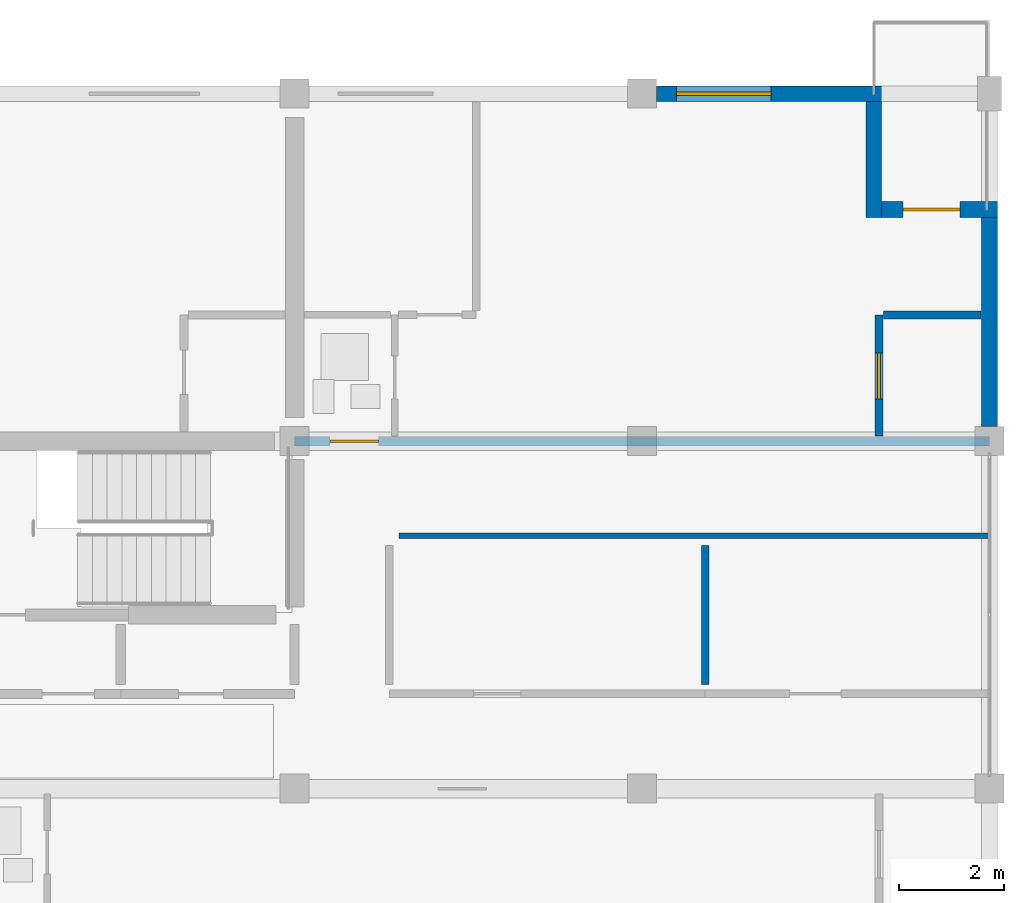
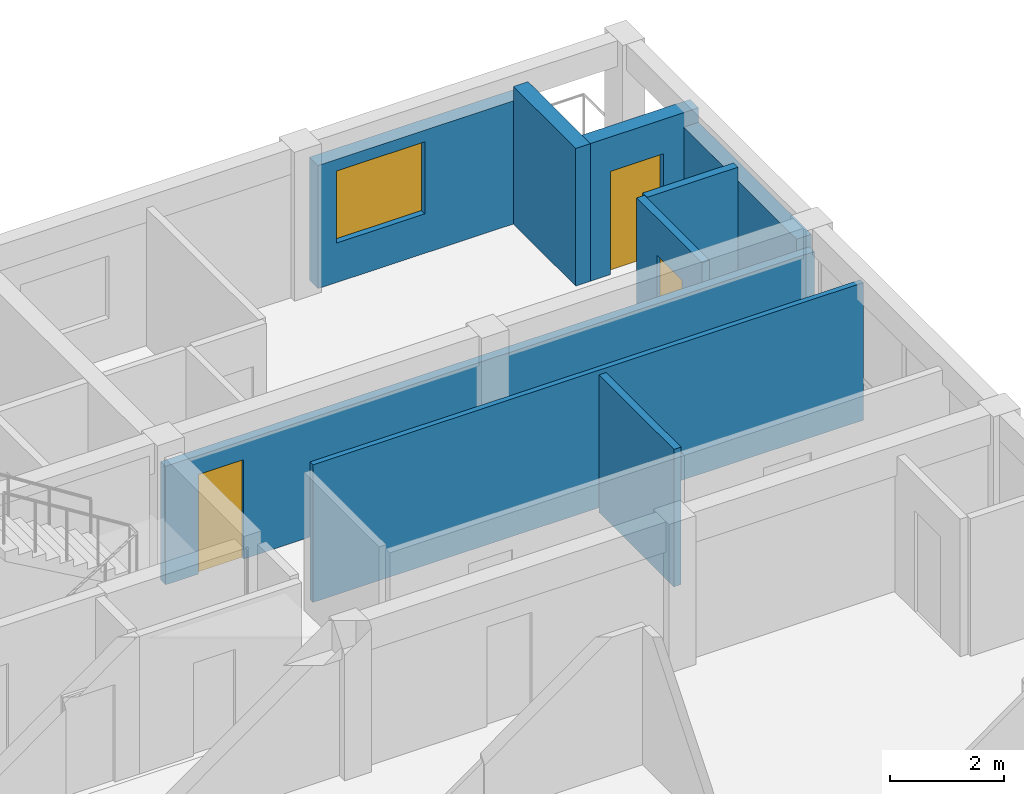
# One storey, part 41 of 51: 9 walls, 3 doors, 1 window, 4 openings.
"""IFC4 building model written with IfcOpenShell, lengths in metres."""

import ifcopenshell
import ifcopenshell.guid

model = None  # the IFC model being written
_history = None  # IfcOwnerHistory: only IFC2X3 demands one
_inside = {}  # id of a spatial element -> (the spatial element, [elements in it])
_under = {}  # id of a project, library or spatial element -> (it, [spatial elements below it])
_declared = {}  # id of a project -> (the project, [libraries it declares])
_typed = {}  # id of a type object -> (the type object, [elements of that type])
_made_of = {}  # id of a material, layer set ... -> (it, [elements and type objects made of it])


def new_model(schema):
    """Start an empty IFC model of exactly this schema.

    Asked for "IFC4X3", IfcOpenShell would pick the latest addendum, in which some entities
    have other attributes; the version numbers below select the first issue.
    IFC2X3 requires an IfcOwnerHistory on every rooted entity: one is made here for all.
    """
    global model, _history
    if schema == "IFC4X3":
        model = ifcopenshell.file(schema_version=(4, 3, 0, 0))
    else:
        model = ifcopenshell.file(schema=schema)
    _inside.clear()
    _under.clear()
    _declared.clear()
    _typed.clear()
    _made_of.clear()
    _history = None
    if model.schema == "IFC2X3":
        org = make("IfcOrganization", Name="unknown")
        user = make(
            "IfcPersonAndOrganization",
            ThePerson=make("IfcPerson", FamilyName="unknown"),
            TheOrganization=org,
        )
        app = make(
            "IfcApplication",
            ApplicationDeveloper=org,
            Version="unknown",
            ApplicationFullName="unknown",
            ApplicationIdentifier="unknown",
        )
        _history = make(
            "IfcOwnerHistory",
            OwningUser=user,
            OwningApplication=app,
            ChangeAction="ADDED",
            CreationDate=0,
        )
    return model


def make(cls, **values):
    """One entity of the class cls with the attributes given. An attribute that is None is left unset."""
    return model.create_entity(
        cls, **{name: value for name, value in values.items() if value is not None}
    )


def rooted(cls, **values):
    """An entity with a GlobalId (a new one), such as an element, a storey or a relation."""
    return make(cls, GlobalId=ifcopenshell.guid.new(), OwnerHistory=_history, **values)


def si_unit(unit_type, name, prefix=None):
    """IfcSIUnit, for example si_unit("LENGTHUNIT", "METRE", prefix="MILLI")."""
    return make("IfcSIUnit", UnitType=unit_type, Prefix=prefix, Name=name)


def assignment(units):
    """IfcUnitAssignment: the units of a project."""
    return None if units is None else make("IfcUnitAssignment", Units=units)


def point(xyz):
    """IfcCartesianPoint."""
    return None if xyz is None else make("IfcCartesianPoint", Coordinates=xyz)


def direction(xyz):
    """IfcDirection."""
    return None if xyz is None else make("IfcDirection", DirectionRatios=xyz)


def frame(location, z_axis=None, x_axis=None):
    """IfcAxis2Placement3D, a coordinate frame: its origin and axes. An axis left out is left unset."""
    return make(
        "IfcAxis2Placement3D",
        Location=point(location),
        Axis=direction(z_axis),
        RefDirection=direction(x_axis),
    )


def frame_2d(location, x_axis=None):
    """IfcAxis2Placement2D, a coordinate frame in the plane: its origin and x axis."""
    return make(
        "IfcAxis2Placement2D", Location=point(location), RefDirection=direction(x_axis)
    )


def origin():
    """The frame at (0, 0, 0) with its axes left unset."""
    return frame((0.0, 0.0, 0.0))


def place(relative_to, where):
    """IfcLocalPlacement: puts the frame where relative to a parent placement (None: the world)."""
    return make(
        "IfcLocalPlacement", PlacementRelTo=relative_to, RelativePlacement=where
    )


def context(
    kind, dimensions, precision=None, world=None, true_north=None, identifier=None
):
    """IfcGeometricRepresentationContext, for example the 3D "Model" context."""
    return make(
        "IfcGeometricRepresentationContext",
        ContextIdentifier=identifier,
        ContextType=kind,
        CoordinateSpaceDimension=dimensions,
        Precision=precision,
        WorldCoordinateSystem=world,
        TrueNorth=true_north,
    )


def subcontext(parent, identifier, kind, view, scale=None):
    """IfcGeometricRepresentationSubContext, for example "Body" below "Model"."""
    return make(
        "IfcGeometricRepresentationSubContext",
        ContextIdentifier=identifier,
        ContextType=kind,
        ParentContext=parent,
        TargetScale=scale,
        TargetView=view,
    )


def project(units=None, contexts=None):
    """IfcProject with its units and contexts."""
    return rooted(
        "IfcProject",
        Name="project",
        RepresentationContexts=contexts,
        UnitsInContext=assignment(units),
    )


def spatial(cls, under=None, at=None, **own):
    """A site, building, storey or space (cls), placed at a placement, below another one or the project."""
    s = rooted(cls, ObjectPlacement=at, **own)
    if under is not None:
        _under.setdefault(under.id(), (under, []))[1].append(s)
    return s


def profile(cls, at=None, kind="AREA", **sizes):
    """A parametric profile (cls). Its sizes go by their IFC names, for example OverallWidth=200.0."""
    return make(cls, ProfileType=kind, Position=at, **sizes)


def rectangle(**sizes):
    """IfcRectangleProfileDef."""
    return profile("IfcRectangleProfileDef", **sizes)


def extrude(swept, where, along, depth):
    """IfcExtrudedAreaSolid: the profile swept, set in the frame where, extruded along a direction by depth."""
    return make(
        "IfcExtrudedAreaSolid",
        SweptArea=swept,
        Position=where,
        ExtrudedDirection=direction(along),
        Depth=depth,
    )


def shape(context_of_items, identifier, shape_type, items):
    """IfcShapeRepresentation: the items that make up one representation, for example the "Body"."""
    return make(
        "IfcShapeRepresentation",
        ContextOfItems=context_of_items,
        RepresentationIdentifier=identifier,
        RepresentationType=shape_type,
        Items=items,
    )


def material(Name=None, Category=None):
    """IfcMaterial."""
    return make("IfcMaterial", Name=Name, Category=Category)


def layer(
    of_material, thickness, ventilated=None, Name=None, Category=None, Priority=None
):
    """IfcMaterialLayer: one layer of a wall or slab, of a material (None: an air gap)."""
    return make(
        "IfcMaterialLayer",
        Material=of_material,
        LayerThickness=thickness,
        IsVentilated=ventilated,
        Name=Name,
        Category=Category,
        Priority=Priority,
    )


def layer_set(layers, Name=None):
    """IfcMaterialLayerSet."""
    return make("IfcMaterialLayerSet", MaterialLayers=layers, LayerSetName=Name)


def made_of(thing, what):
    """Note that an element or type object is made of a material, layer set ...; save() writes the relation."""
    if what is not None:
        _made_of.setdefault(what.id(), (what, []))[1].append(thing)
    return thing


def type_object(cls, material=None, **own):
    """A type object (cls), such as IfcWallType, which elements share."""
    return made_of(rooted(cls, **own), material)


def element(
    cls,
    number,
    at=None,
    inside=None,
    cuts=None,
    type_object=None,
    material=None,
    context=None,
    identifier="Body",
    shape_type=None,
    held_by="IfcProductDefinitionShape",
    body=None,
    shapes=None,
    **own,
):
    """One element of the class cls, such as IfcWall. Its Tag is "e" and its number.

    at: its placement. inside: the storey or other place that contains it. cuts: it is an
    opening in that element (IfcRelVoidsElement). A single representation is given by context,
    identifier, shape_type and body (its items); several are given by shapes. held_by: the class
    of the entity that holds the representations. save() writes the other relations.
    """
    e = rooted(cls, Tag="e%d" % number, ObjectPlacement=at, **own)
    if body is not None:
        shapes = [shape(context, identifier, shape_type, body)]
    if shapes is not None:
        e.Representation = make(held_by, Representations=shapes)
    if inside is not None:
        _inside.setdefault(inside.id(), (inside, []))[1].append(e)
    if cuts is not None:
        rooted(
            "IfcRelVoidsElement", RelatingBuildingElement=cuts, RelatedOpeningElement=e
        )
    if type_object is not None:
        _typed.setdefault(type_object.id(), (type_object, []))[1].append(e)
    return made_of(e, material)


def fill(opening, filler):
    """IfcRelFillsElement: the door or window that sits in an opening."""
    return rooted(
        "IfcRelFillsElement",
        RelatingOpeningElement=opening,
        RelatedBuildingElement=filler,
    )


def aggregate(whole, parts):
    """IfcRelAggregates: a whole, such as a stair, and the parts it consists of."""
    return rooted("IfcRelAggregates", RelatingObject=whole, RelatedObjects=parts)


def save(model, path):
    """Write the relations noted so far, then the file.

    IfcRelAggregates (storeys below a building ...), IfcRelContainedInSpatialStructure (elements
    in a storey), IfcRelDefinesByType, IfcRelAssociatesMaterial and IfcRelDeclares: one each for
    every whole, place, type object, material and project.
    """
    for whole, parts in _under.values():
        aggregate(whole, parts)
    for where, things in _inside.values():
        rooted(
            "IfcRelContainedInSpatialStructure",
            RelatedElements=things,
            RelatingStructure=where,
        )
    for kind, things in _typed.values():
        rooted("IfcRelDefinesByType", RelatedObjects=things, RelatingType=kind)
    for what, things in _made_of.values():
        rooted("IfcRelAssociatesMaterial", RelatedObjects=things, RelatingMaterial=what)
    for by, libraries in _declared.values():
        rooted("IfcRelDeclares", RelatingContext=by, RelatedDefinitions=libraries)
    model.write(path)


model = new_model("IFC4")

# Units and contexts
model_context = context("Model", 3, precision=1e-05, world=origin(), true_north=direction((0.0, 1.0)))
body_context = subcontext(model_context, "Body", "Model", "MODEL_VIEW")
ifc_project = project(units=[si_unit("LENGTHUNIT", "METRE"), si_unit("AREAUNIT", "SQUARE_METRE"), si_unit("VOLUMEUNIT", "CUBIC_METRE"), si_unit("PLANEANGLEUNIT", "RADIAN"), si_unit("MASSUNIT", "GRAM", prefix="KILO")], contexts=[model_context])

# Site, building, storey
site_placement = place(None, origin())
site = spatial("IfcSite", under=ifc_project, at=site_placement, CompositionType="ELEMENT")
building_placement = place(site_placement, origin())
building = spatial("IfcBuilding", under=site, at=building_placement, Name="Kernevlak Ridge Housing Community", CompositionType="ELEMENT")
storey_placement = place(building_placement, frame((0.0, 0.0, 8.39990234375)))
storey = spatial("IfcBuildingStorey", under=building, at=storey_placement, Name="L02", CompositionType="ELEMENT", Elevation=8.39990234375)

# Wall, opening, window
ifc_material_1 = material(Name="Concrete block masonry M10", Category="masonry")
ifc_layer_1 = layer(ifc_material_1, 0.300048828125, Name="Concrete block masonry M10")
ifc_layer_set_1 = layer_set([ifc_layer_1], Name="Concrete block masonry M10")
wall_type_1 = type_object("IfcWallType", Name="EW-01", PredefinedType="STANDARD", material=ifc_layer_set_1)
wall_1_placement = place(storey_placement, frame((146.074951171875, 102.39990234375, 0.0), z_axis=(0.0, 0.0, 1.0), x_axis=(1.0, 0.0, 0.0)))
wall_1 = element("IfcWall", 1, at=wall_1_placement, inside=storey, type_object=wall_type_1, Name="Exterior wall EW-01 L02 332", PredefinedType="STANDARD", context=body_context, shape_type="SweptSolid", body=[
    extrude(rectangle(XDim=4.275146484375, YDim=0.300048828125, at=frame_2d((2.1376953125, 0.0))), origin(), (0.0, 0.0, 1.0), 2.650146484375),
])
opening_1_placement = place(wall_1_placement, frame((0.375, 0.0, 0.85009765625)))
opening_1 = element("IfcOpeningElement", 2, at=opening_1_placement, cuts=wall_1, Name="Opening WT-04", PredefinedType="OPENING", context=body_context, shape_type="SweptSolid", body=[
    extrude(rectangle(XDim=1.800048828125, YDim=1.550048828125, at=frame_2d((0.89990234375, 0.77490234375))), frame((0.0, 0.159912109375, 0.0), z_axis=(0.0, -1.0, 0.0), x_axis=(1.0, 0.0, 0.0)), (0.0, 0.0, 1.0), 0.320068359375),
])
ifc_material_2 = material(Name="Aluminium EN AW-6060 anodised and laminated glass", Category="aluminium")
window_type = type_object("IfcWindowType", Name="WT-04", PartitioningType="SINGLE_PANEL", PredefinedType="WINDOW", material=ifc_material_2)
window_placement = place(opening_1_placement, origin())
window = element("IfcWindow", 3, at=window_placement, inside=storey, type_object=window_type, Name="Window WT-04 L02 258", OverallHeight=1.550048828125, OverallWidth=1.800048828125, PartitioningType="SINGLE_PANEL", PredefinedType="WINDOW", context=body_context, shape_type="SweptSolid", body=[
    extrude(rectangle(XDim=1.800048828125, YDim=1.550048828125, at=frame_2d((0.89990234375, 0.77490234375))), frame((0.0, 0.030029296875, 0.0), z_axis=(0.0, -1.0, 0.0), x_axis=(1.0, 0.0, 0.0)), (0.0, 0.0, 1.0), 0.06005859375),
])
fill(opening_1, window)

# Wall
wall_2_placement = place(storey_placement, frame((150.199951171875, 102.25, 0.0), z_axis=(0.0, 0.0, 1.0), x_axis=(0.0, -1.0, 0.0)))
element("IfcWall", 4, at=wall_2_placement, inside=storey, type_object=wall_type_1, Name="Exterior wall EW-01 L02 333", PredefinedType="STANDARD", context=body_context, shape_type="SweptSolid", body=[
    extrude(rectangle(XDim=2.199951171875, YDim=0.300048828125, at=frame_2d((1.10009765625, 0.0))), origin(), (0.0, 0.0, 1.0), 2.960205078125),
])

# Wall, opening, door
wall_3_placement = place(storey_placement, frame((150.35009765625, 100.199951171875, 0.0), z_axis=(0.0, 0.0, 1.0), x_axis=(1.0, 0.0, 0.0)))
wall_3 = element("IfcWall", 5, at=wall_3_placement, inside=storey, type_object=wall_type_1, Name="Exterior wall EW-01 L02 334", PredefinedType="STANDARD", context=body_context, shape_type="SweptSolid", body=[
    extrude(rectangle(XDim=2.199951171875, YDim=0.300048828125, at=frame_2d((1.10009765625, 0.0))), origin(), (0.0, 0.0, 1.0), 2.960205078125),
])
opening_2_placement = place(wall_3_placement, frame((0.409912109375, 0.0, 0.0)))
opening_2 = element("IfcOpeningElement", 6, at=opening_2_placement, cuts=wall_3, Name="Opening D671", PredefinedType="OPENING", context=body_context, shape_type="SweptSolid", body=[
    extrude(rectangle(XDim=1.080078125, YDim=2.219970703125, at=frame_2d((0.5400390625, 1.10986328125))), frame((0.0, 0.159912109375, 0.0), z_axis=(0.0, -1.0, 0.0), x_axis=(1.0, 0.0, 0.0)), (0.0, 0.0, 1.0), 0.320068359375),
])
ifc_material_3 = material(Name="Aluminium EN AW-6060 and laminated safety glass", Category="aluminium")
door_type_1 = type_object("IfcDoorType", Name="DT-34", OperationType="NOTDEFINED", PredefinedType="DOOR", material=ifc_material_3)
door_1_placement = place(opening_2_placement, origin())
door_1 = element("IfcDoor", 7, at=door_1_placement, inside=storey, type_object=door_type_1, Name="Flat B0223 corner balcony glazed door D671", OperationType="SINGLE_SWING_LEFT", OverallHeight=2.219970703125, OverallWidth=1.080078125, PredefinedType="DOOR", context=body_context, shape_type="SweptSolid", body=[
    extrude(rectangle(XDim=1.080078125, YDim=2.219970703125, at=frame_2d((0.5400390625, 1.10986328125))), frame((0.0, 0.02490234375, 0.0), z_axis=(0.0, -1.0, 0.0), x_axis=(1.0, 0.0, 0.0)), (0.0, 0.0, 1.0), 0.050048828125),
])
fill(opening_2, door_1)

# Wall
wall_4_placement = place(storey_placement, frame((152.39990234375, 96.074951171875, 0.0), z_axis=(0.0, 0.0, 1.0), x_axis=(0.0, 1.0, 0.0)))
element("IfcWall", 8, at=wall_4_placement, inside=storey, type_object=wall_type_1, Name="Exterior wall EW-01 L02 338", PredefinedType="STANDARD", context=body_context, shape_type="SweptSolid", body=[
    extrude(rectangle(XDim=3.97509765625, YDim=0.300048828125, at=frame_2d((1.987548828125, 0.0))), origin(), (0.0, 0.0, 1.0), 2.650146484375),
])

# Wall, opening, door
ifc_layer_2 = layer(ifc_material_1, 0.175048828125, Name="Concrete block masonry M10")
ifc_layer_set_2 = layer_set([ifc_layer_2], Name="Concrete block masonry M10")
wall_type_2 = type_object("IfcWallType", Name="PW-02", PredefinedType="PARTITIONING", material=ifc_layer_set_2)
wall_5_placement = place(storey_placement, frame((139.199951171875, 95.800048828125, 0.0), z_axis=(0.0, 0.0, 1.0), x_axis=(1.0, 0.0, 0.0)))
wall_5 = element("IfcWall", 9, at=wall_5_placement, inside=storey, type_object=wall_type_2, Name="Interior wall PW-02 WAL-INT-L02-1319", PredefinedType="PARTITIONING", context=body_context, shape_type="SweptSolid", body=[
    extrude(rectangle(XDim=13.199951171875, YDim=0.175048828125, at=frame_2d((6.60009765625, 0.0))), origin(), (0.0, 0.0, 1.0), 2.550048828125),
])
opening_3_placement = place(wall_5_placement, frame((0.669921875, 0.0, 0.0)))
opening_3 = element("IfcOpeningElement", 10, at=opening_3_placement, cuts=wall_5, Name="Opening D667", PredefinedType="OPENING", context=body_context, shape_type="SweptSolid", body=[
    extrude(rectangle(XDim=0.919921875, YDim=2.139892578125, at=frame_2d((0.4599609375, 1.06982421875))), frame((0.0, 0.097412109375, 0.0), z_axis=(0.0, -1.0, 0.0), x_axis=(1.0, 0.0, 0.0)), (0.0, 0.0, 1.0), 0.195068359375),
])
ifc_material_4 = material(Name="Hardwood timber solid-core fire leaf", Category="wood")
door_type_2 = type_object("IfcDoorType", Name="DT-20", OperationType="NOTDEFINED", PredefinedType="DOOR", material=ifc_material_4)
door_2_placement = place(opening_3_placement, origin())
door_2 = element("IfcDoor", 11, at=door_2_placement, inside=storey, type_object=door_type_2, Name="Flat B0223 entrance fire door D667", OperationType="SINGLE_SWING_LEFT", OverallHeight=2.139892578125, OverallWidth=0.919921875, PredefinedType="DOOR", context=body_context, shape_type="SweptSolid", body=[
    extrude(rectangle(XDim=0.919921875, YDim=2.139892578125, at=frame_2d((0.4599609375, 1.06982421875))), frame((0.0, 0.02490234375, 0.0), z_axis=(0.0, -1.0, 0.0), x_axis=(1.0, 0.0, 0.0)), (0.0, 0.0, 1.0), 0.050048828125),
])
fill(opening_3, door_2)

# Wall
ifc_layer_3 = layer(ifc_material_1, 0.14501953125, Name="Concrete block masonry M10")
ifc_layer_set_3 = layer_set([ifc_layer_3], Name="Concrete block masonry M10")
wall_type_3 = type_object("IfcWallType", Name="PW-03", PredefinedType="PARTITIONING", material=ifc_layer_set_3)
wall_6_placement = place(storey_placement, frame((147.0, 91.179931640625, 0.0), z_axis=(0.0, 0.0, 1.0), x_axis=(0.0, 1.0, 0.0)))
element("IfcWall", 12, at=wall_6_placement, inside=storey, type_object=wall_type_3, Name="Interior wall PW-03 WAL-INT-L02-1285", PredefinedType="PARTITIONING", context=body_context, shape_type="SweptSolid", body=[
    extrude(rectangle(XDim=2.64013671875, YDim=0.14501953125, at=frame_2d((1.320068359375, 0.0))), origin(), (0.0, 0.0, 1.0), 2.960205078125),
])

# Wall, opening, door
ifc_material_5 = material(Name="Gypsum plasterboard EN 520", Category="gypsum")
ifc_layer_4 = layer(ifc_material_5, 0.155029296875, Name="Gypsum plasterboard EN 520")
ifc_layer_set_4 = layer_set([ifc_layer_4], Name="Gypsum plasterboard EN 520")
wall_type_4 = type_object("IfcWallType", Name="PW-05", PredefinedType="PARTITIONING", material=ifc_layer_set_4)
wall_7_placement = place(storey_placement, frame((150.300048828125, 95.8974609375, 0.0), z_axis=(0.0, 0.0, 1.0), x_axis=(0.0, 1.0, 0.0)))
wall_7 = element("IfcWall", 13, at=wall_7_placement, inside=storey, type_object=wall_type_4, Name="Interior wall PW-05 WAL-INT-L02-1322", PredefinedType="PARTITIONING", context=body_context, shape_type="SweptSolid", body=[
    extrude(rectangle(XDim=2.302490234375, YDim=0.155029296875, at=frame_2d((1.1513671875, 0.0))), origin(), (0.0, 0.0, 1.0), 2.960205078125),
])
opening_4_placement = place(wall_7_placement, frame((0.699951171875, 0.0, 0.0)))
opening_4 = element("IfcOpeningElement", 14, at=opening_4_placement, cuts=wall_7, Name="Opening D669", PredefinedType="OPENING", context=body_context, shape_type="SweptSolid", body=[
    extrude(rectangle(XDim=0.8798828125, YDim=2.159912109375, at=frame_2d((0.43994140625, 1.080078125))), frame((0.0, 0.08740234375, 0.0), z_axis=(0.0, -1.0, 0.0), x_axis=(1.0, 0.0, 0.0)), (0.0, 0.0, 1.0), 0.175048828125),
])
ifc_material_6 = material(Name="Hardwood timber leaf", Category="wood")
door_type_3 = type_object("IfcDoorType", Name="DT-26", OperationType="NOTDEFINED", PredefinedType="DOOR", material=ifc_material_6)
door_3_placement = place(opening_4_placement, origin())
door_3 = element("IfcDoor", 15, at=door_3_placement, inside=storey, type_object=door_type_3, Name="Flat B0223 kitchen door D669", OperationType="SINGLE_SWING_LEFT", OverallHeight=2.159912109375, OverallWidth=0.8798828125, PredefinedType="DOOR", context=body_context, shape_type="SweptSolid", body=[
    extrude(rectangle(XDim=0.8798828125, YDim=2.159912109375, at=frame_2d((0.43994140625, 1.080078125))), frame((0.0, 0.02490234375, 0.0), z_axis=(0.0, -1.0, 0.0), x_axis=(1.0, 0.0, 0.0)), (0.0, 0.0, 1.0), 0.050048828125),
])
fill(opening_4, door_3)

# Walls
wall_8_placement = place(storey_placement, frame((150.387451171875, 98.199951171875, 0.0), z_axis=(0.0, 0.0, 1.0), x_axis=(1.0, 0.0, 0.0)))
element("IfcWall", 16, at=wall_8_placement, inside=storey, type_object=wall_type_4, Name="Interior wall PW-05 WAL-INT-L02-1323", PredefinedType="PARTITIONING", context=body_context, shape_type="SweptSolid", body=[
    extrude(rectangle(XDim=1.8525390625, YDim=0.155029296875, at=frame_2d((0.92626953125, 0.0))), origin(), (0.0, 0.0, 1.0), 2.960205078125),
])
ifc_layer_5 = layer(ifc_material_5, 0.10498046875, Name="Gypsum plasterboard EN 520")
ifc_layer_set_5 = layer_set([ifc_layer_5], Name="Gypsum plasterboard EN 520")
wall_type_5 = type_object("IfcWallType", Name="PW-06", PredefinedType="PARTITIONING", material=ifc_layer_set_5)
wall_9_placement = place(storey_placement, frame((141.179931640625, 94.0, 0.0), z_axis=(0.0, 0.0, 1.0), x_axis=(1.0, 0.0, 0.0)))
element("IfcWall", 17, at=wall_9_placement, inside=storey, type_object=wall_type_5, Name="Interior wall PW-06 WAL-INT-L02-1286", PredefinedType="PARTITIONING", context=body_context, shape_type="SweptSolid", body=[
    extrude(rectangle(XDim=11.199951171875, YDim=0.10498046875, at=frame_2d((5.60009765625, 0.0))), origin(), (0.0, 0.0, 1.0), 2.960205078125),
])

save(model, "model.ifc")
